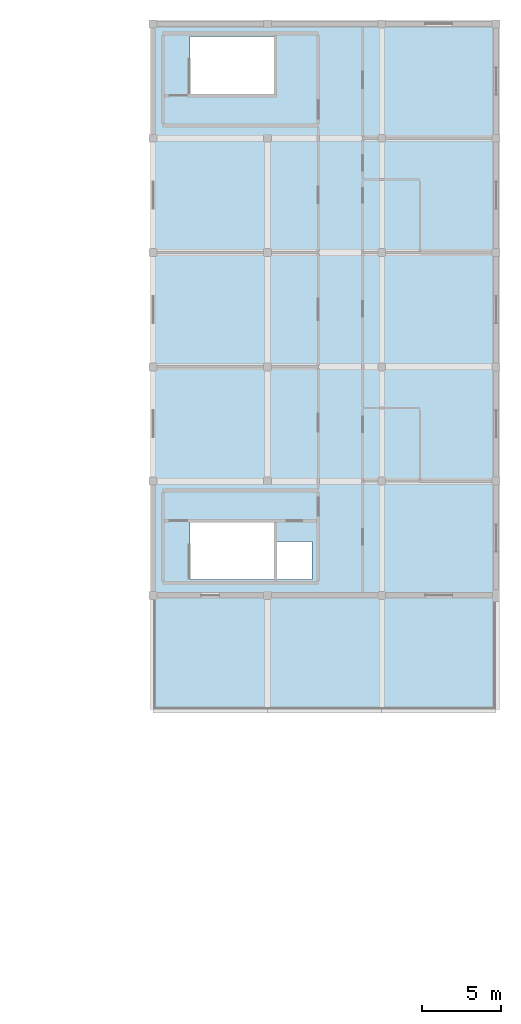
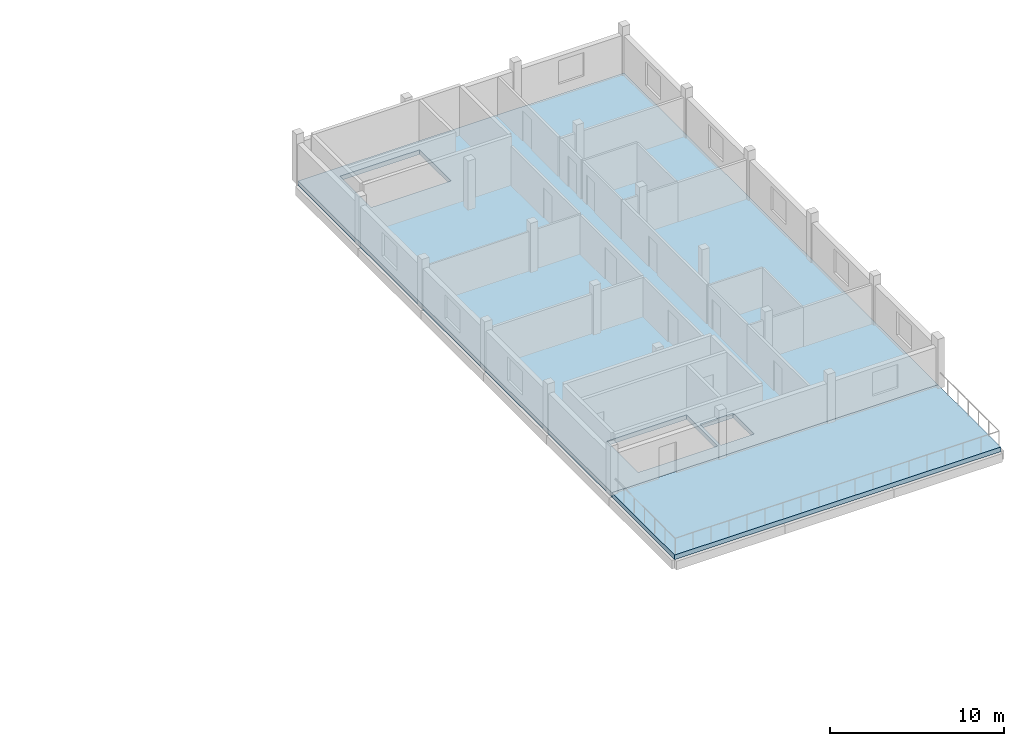
# One storey, part 18 of 26: 2 slabs.
"""IFC4 building model written with IfcOpenShell, lengths in metres."""

from ifc_helpers import new_model, si_unit, direction, frame, origin, place, context, subcontext, project, spatial, polyline, outline, extrude, material, layer, layer_set, type_object, element, save


model = new_model("IFC4")

# Units and contexts
model_context = context("Model", 3, precision=1e-05, world=origin(), true_north=direction((0.0, 1.0)))
body_context = subcontext(model_context, "Body", "Model", "MODEL_VIEW")
ifc_project = project(units=[si_unit("LENGTHUNIT", "METRE"), si_unit("AREAUNIT", "SQUARE_METRE"), si_unit("VOLUMEUNIT", "CUBIC_METRE"), si_unit("PLANEANGLEUNIT", "RADIAN"), si_unit("MASSUNIT", "GRAM", prefix="KILO")], contexts=[model_context])

# Site, building, storey
site_placement = place(None, origin())
site = spatial("IfcSite", under=ifc_project, at=site_placement, CompositionType="ELEMENT")
building_placement = place(site_placement, origin())
building = spatial("IfcBuilding", under=site, at=building_placement, Name="Zornivar Specialist Clinic", CompositionType="ELEMENT")
storey_placement = place(building_placement, frame((0.0, 0.0, 19.699951171875)))
storey = spatial("IfcBuildingStorey", under=building, at=storey_placement, Name="L05", CompositionType="ELEMENT", Elevation=19.699951171875)

# Slabs
ifc_material_1 = material(Name="Concrete C30/37", Category="concrete")
ifc_layer_1 = layer(ifc_material_1, 0.320068359375)
ifc_layer_set_1 = layer_set([ifc_layer_1], Name="Concrete C30/37")
slab_type_1 = type_object("IfcSlabType", Name="SLB-EXT-TERR-320", PredefinedType="FLOOR", material=ifc_layer_set_1)
slab_1_placement = place(storey_placement, frame((0.0, 0.0, -0.320068359375)))
element("IfcSlab", 1, at=slab_1_placement, inside=storey, type_object=slab_type_1, Name="slab:V6:L05:terr:0", PredefinedType="FLOOR", context=body_context, shape_type="SweptSolid", body=[
    extrude(outline(polyline([(144.0, 64.800048828125), (165.60009765625, 64.800048828125), (165.60009765625, 72.0), (144.0, 72.0), (144.0, 64.800048828125)])), origin(), (0.0, 0.0, 1.0), 0.320068359375),
])
ifc_material_2 = material(Name="Concrete C30/37", Category="concrete")
ifc_layer_2 = layer(ifc_material_2, 0.320068359375)
ifc_layer_set_2 = layer_set([ifc_layer_2], Name="Concrete C30/37")
slab_type_2 = type_object("IfcSlabType", Name="SLB-FLR-LAB-320", PredefinedType="FLOOR", material=ifc_layer_set_2)
slab_2_placement = place(storey_placement, frame((0.0, 0.0, -0.320068359375)))
element("IfcSlab", 2, at=slab_2_placement, inside=storey, type_object=slab_type_2, Name="slab:V6:L05:main", PredefinedType="FLOOR", context=body_context, shape_type="SweptSolid", body=[
    extrude(outline(polyline([(144.0, 72.0), (165.60009765625, 72.0), (165.60009765625, 108.0), (144.0, 108.0), (144.0, 72.0)]), holes=[polyline([(146.320068359375, 73.0), (151.60009765625, 73.0), (151.60009765625, 76.60009765625), (146.320068359375, 76.60009765625), (146.320068359375, 73.0)]), polyline([(151.800048828125, 73.0), (154.0, 73.0), (154.0, 75.39990234375), (151.800048828125, 75.39990234375), (151.800048828125, 73.0)]), polyline([(146.320068359375, 103.60009765625), (151.60009765625, 103.60009765625), (151.60009765625, 107.199951171875), (146.320068359375, 107.199951171875), (146.320068359375, 103.60009765625)])]), origin(), (0.0, 0.0, 1.0), 0.320068359375),
])

save(model, "model.ifc")
